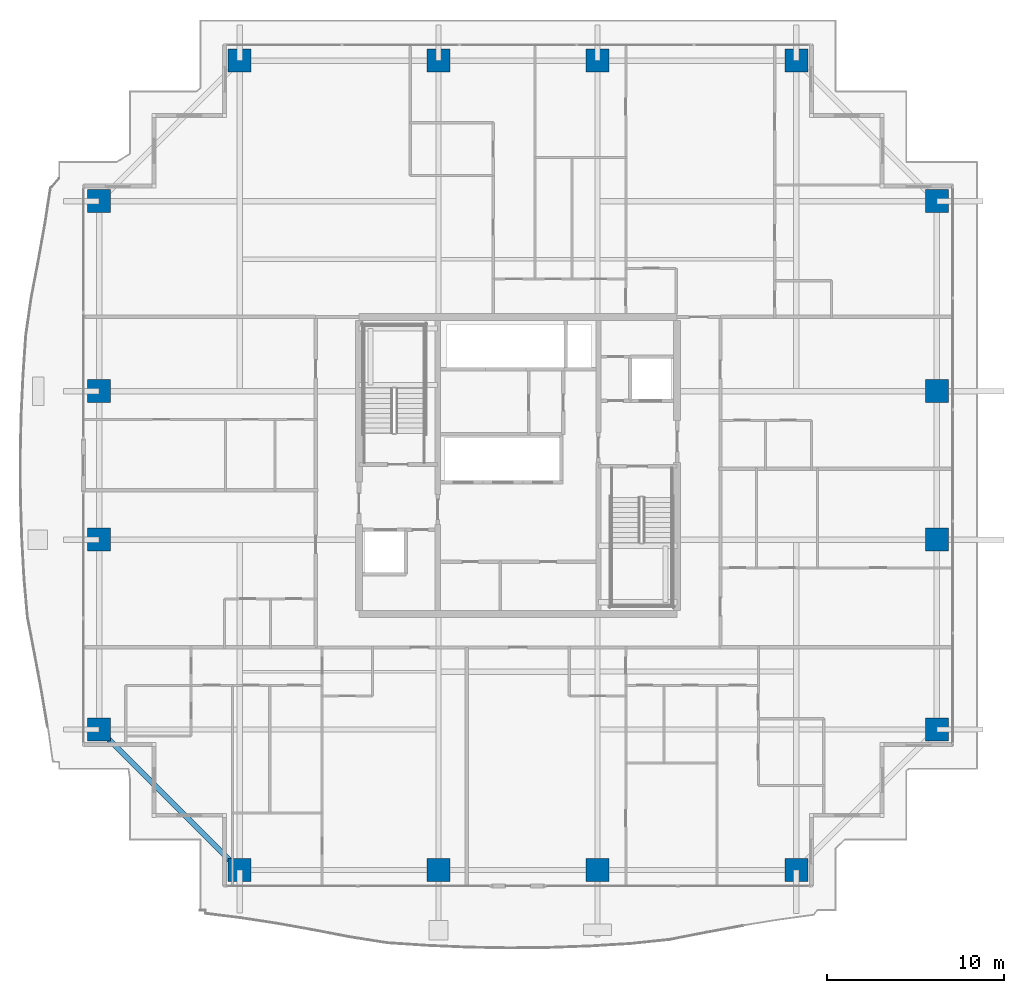
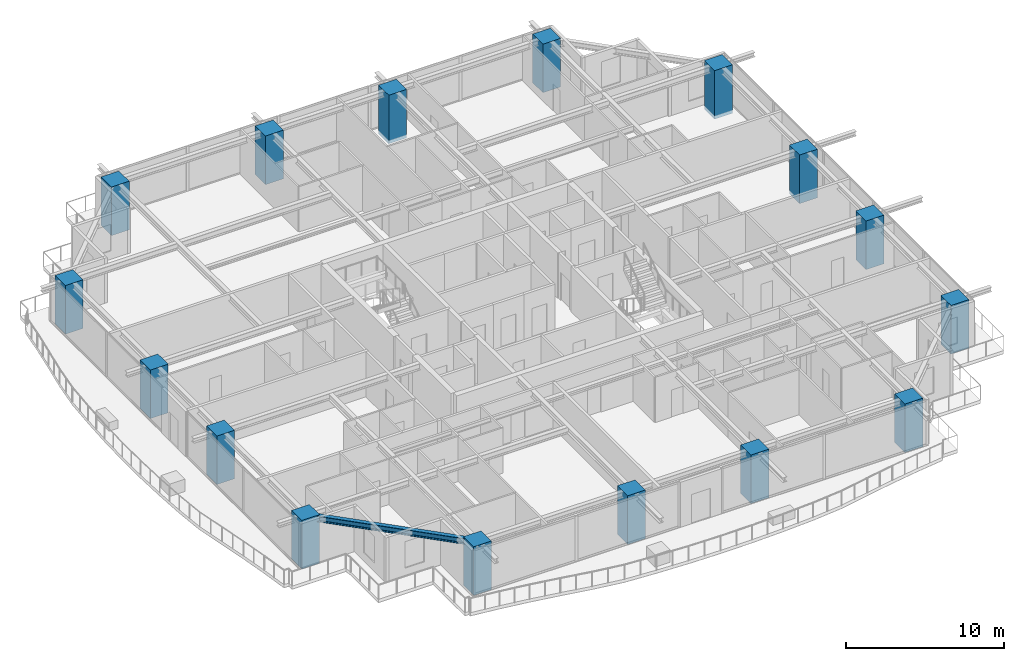
# One storey, part 1 of 34: 16 columns, 1 beam.
"""IFC4 building model written with IfcOpenShell, lengths in metres."""

import ifcopenshell
import ifcopenshell.guid

model = None  # the IFC model being written
_history = None  # IfcOwnerHistory: only IFC2X3 demands one
_inside = {}  # id of a spatial element -> (the spatial element, [elements in it])
_under = {}  # id of a project, library or spatial element -> (it, [spatial elements below it])
_declared = {}  # id of a project -> (the project, [libraries it declares])
_typed = {}  # id of a type object -> (the type object, [elements of that type])
_made_of = {}  # id of a material, layer set ... -> (it, [elements and type objects made of it])


def new_model(schema):
    """Start an empty IFC model of exactly this schema.

    Asked for "IFC4X3", IfcOpenShell would pick the latest addendum, in which some entities
    have other attributes; the version numbers below select the first issue.
    IFC2X3 requires an IfcOwnerHistory on every rooted entity: one is made here for all.
    """
    global model, _history
    if schema == "IFC4X3":
        model = ifcopenshell.file(schema_version=(4, 3, 0, 0))
    else:
        model = ifcopenshell.file(schema=schema)
    _inside.clear()
    _under.clear()
    _declared.clear()
    _typed.clear()
    _made_of.clear()
    _history = None
    if model.schema == "IFC2X3":
        org = make("IfcOrganization", Name="unknown")
        user = make(
            "IfcPersonAndOrganization",
            ThePerson=make("IfcPerson", FamilyName="unknown"),
            TheOrganization=org,
        )
        app = make(
            "IfcApplication",
            ApplicationDeveloper=org,
            Version="unknown",
            ApplicationFullName="unknown",
            ApplicationIdentifier="unknown",
        )
        _history = make(
            "IfcOwnerHistory",
            OwningUser=user,
            OwningApplication=app,
            ChangeAction="ADDED",
            CreationDate=0,
        )
    return model


def make(cls, **values):
    """One entity of the class cls with the attributes given. An attribute that is None is left unset."""
    return model.create_entity(
        cls, **{name: value for name, value in values.items() if value is not None}
    )


def rooted(cls, **values):
    """An entity with a GlobalId (a new one), such as an element, a storey or a relation."""
    return make(cls, GlobalId=ifcopenshell.guid.new(), OwnerHistory=_history, **values)


def si_unit(unit_type, name, prefix=None):
    """IfcSIUnit, for example si_unit("LENGTHUNIT", "METRE", prefix="MILLI")."""
    return make("IfcSIUnit", UnitType=unit_type, Prefix=prefix, Name=name)


def assignment(units):
    """IfcUnitAssignment: the units of a project."""
    return None if units is None else make("IfcUnitAssignment", Units=units)


def point(xyz):
    """IfcCartesianPoint."""
    return None if xyz is None else make("IfcCartesianPoint", Coordinates=xyz)


def direction(xyz):
    """IfcDirection."""
    return None if xyz is None else make("IfcDirection", DirectionRatios=xyz)


def frame(location, z_axis=None, x_axis=None):
    """IfcAxis2Placement3D, a coordinate frame: its origin and axes. An axis left out is left unset."""
    return make(
        "IfcAxis2Placement3D",
        Location=point(location),
        Axis=direction(z_axis),
        RefDirection=direction(x_axis),
    )


def frame_2d(location, x_axis=None):
    """IfcAxis2Placement2D, a coordinate frame in the plane: its origin and x axis."""
    return make(
        "IfcAxis2Placement2D", Location=point(location), RefDirection=direction(x_axis)
    )


def origin():
    """The frame at (0, 0, 0) with its axes left unset."""
    return frame((0.0, 0.0, 0.0))


def origin_2d():
    """The frame at (0, 0) in the plane with its x axis left unset."""
    return frame_2d((0.0, 0.0))


def place(relative_to, where):
    """IfcLocalPlacement: puts the frame where relative to a parent placement (None: the world)."""
    return make(
        "IfcLocalPlacement", PlacementRelTo=relative_to, RelativePlacement=where
    )


def context(
    kind, dimensions, precision=None, world=None, true_north=None, identifier=None
):
    """IfcGeometricRepresentationContext, for example the 3D "Model" context."""
    return make(
        "IfcGeometricRepresentationContext",
        ContextIdentifier=identifier,
        ContextType=kind,
        CoordinateSpaceDimension=dimensions,
        Precision=precision,
        WorldCoordinateSystem=world,
        TrueNorth=true_north,
    )


def subcontext(parent, identifier, kind, view, scale=None):
    """IfcGeometricRepresentationSubContext, for example "Body" below "Model"."""
    return make(
        "IfcGeometricRepresentationSubContext",
        ContextIdentifier=identifier,
        ContextType=kind,
        ParentContext=parent,
        TargetScale=scale,
        TargetView=view,
    )


def project(units=None, contexts=None):
    """IfcProject with its units and contexts."""
    return rooted(
        "IfcProject",
        Name="project",
        RepresentationContexts=contexts,
        UnitsInContext=assignment(units),
    )


def spatial(cls, under=None, at=None, **own):
    """A site, building, storey or space (cls), placed at a placement, below another one or the project."""
    s = rooted(cls, ObjectPlacement=at, **own)
    if under is not None:
        _under.setdefault(under.id(), (under, []))[1].append(s)
    return s


def profile(cls, at=None, kind="AREA", **sizes):
    """A parametric profile (cls). Its sizes go by their IFC names, for example OverallWidth=200.0."""
    return make(cls, ProfileType=kind, Position=at, **sizes)


def rectangle(**sizes):
    """IfcRectangleProfileDef."""
    return profile("IfcRectangleProfileDef", **sizes)


def i_section(**sizes):
    """IfcIShapeProfileDef."""
    return profile("IfcIShapeProfileDef", **sizes)


def extrude(swept, where, along, depth):
    """IfcExtrudedAreaSolid: the profile swept, set in the frame where, extruded along a direction by depth."""
    return make(
        "IfcExtrudedAreaSolid",
        SweptArea=swept,
        Position=where,
        ExtrudedDirection=direction(along),
        Depth=depth,
    )


def shape(context_of_items, identifier, shape_type, items):
    """IfcShapeRepresentation: the items that make up one representation, for example the "Body"."""
    return make(
        "IfcShapeRepresentation",
        ContextOfItems=context_of_items,
        RepresentationIdentifier=identifier,
        RepresentationType=shape_type,
        Items=items,
    )


def source(mapping_origin, context_of_items, identifier, shape_type, items):
    """IfcRepresentationMap: a shape defined once, which mapped items show again and again."""
    return make(
        "IfcRepresentationMap",
        MappingOrigin=mapping_origin,
        MappedRepresentation=shape(context_of_items, identifier, shape_type, items),
    )


def transform(
    local_origin,
    x_axis=None,
    y_axis=None,
    z_axis=None,
    scale=None,
    scale2=None,
    scale3=None,
    uniform=True,
):
    """IfcCartesianTransformationOperator3D, or its non-uniform kind. x_axis, y_axis, z_axis: its Axis1, 2, 3."""
    if uniform:
        return make(
            "IfcCartesianTransformationOperator3D",
            Axis1=direction(x_axis),
            Axis2=direction(y_axis),
            LocalOrigin=point(local_origin),
            Scale=scale,
            Axis3=direction(z_axis),
        )
    return make(
        "IfcCartesianTransformationOperator3DnonUniform",
        Axis1=direction(x_axis),
        Axis2=direction(y_axis),
        LocalOrigin=point(local_origin),
        Scale=scale,
        Axis3=direction(z_axis),
        Scale2=scale2,
        Scale3=scale3,
    )


def mapped(mapping_source, mapping_target):
    """IfcMappedItem: shows the shape of a source again, moved by a transform."""
    return make(
        "IfcMappedItem", MappingSource=mapping_source, MappingTarget=mapping_target
    )


def material(Name=None, Category=None):
    """IfcMaterial."""
    return make("IfcMaterial", Name=Name, Category=Category)


def material_profile(
    of_material, cross_section, Name=None, Category=None, Priority=None
):
    """IfcMaterialProfile: a cross section and its material."""
    return make(
        "IfcMaterialProfile",
        Name=Name,
        Material=of_material,
        Profile=cross_section,
        Priority=Priority,
        Category=Category,
    )


def profile_set(profiles, Name=None, composite=None):
    """IfcMaterialProfileSet."""
    return make(
        "IfcMaterialProfileSet",
        Name=Name,
        MaterialProfiles=profiles,
        CompositeProfile=composite,
    )


def made_of(thing, what):
    """Note that an element or type object is made of a material, layer set ...; save() writes the relation."""
    if what is not None:
        _made_of.setdefault(what.id(), (what, []))[1].append(thing)
    return thing


def type_object(cls, material=None, **own):
    """A type object (cls), such as IfcWallType, which elements share."""
    return made_of(rooted(cls, **own), material)


def element(
    cls,
    number,
    at=None,
    inside=None,
    cuts=None,
    type_object=None,
    material=None,
    context=None,
    identifier="Body",
    shape_type=None,
    held_by="IfcProductDefinitionShape",
    body=None,
    shapes=None,
    **own,
):
    """One element of the class cls, such as IfcWall. Its Tag is "e" and its number.

    at: its placement. inside: the storey or other place that contains it. cuts: it is an
    opening in that element (IfcRelVoidsElement). A single representation is given by context,
    identifier, shape_type and body (its items); several are given by shapes. held_by: the class
    of the entity that holds the representations. save() writes the other relations.
    """
    e = rooted(cls, Tag="e%d" % number, ObjectPlacement=at, **own)
    if body is not None:
        shapes = [shape(context, identifier, shape_type, body)]
    if shapes is not None:
        e.Representation = make(held_by, Representations=shapes)
    if inside is not None:
        _inside.setdefault(inside.id(), (inside, []))[1].append(e)
    if cuts is not None:
        rooted(
            "IfcRelVoidsElement", RelatingBuildingElement=cuts, RelatedOpeningElement=e
        )
    if type_object is not None:
        _typed.setdefault(type_object.id(), (type_object, []))[1].append(e)
    return made_of(e, material)


def aggregate(whole, parts):
    """IfcRelAggregates: a whole, such as a stair, and the parts it consists of."""
    return rooted("IfcRelAggregates", RelatingObject=whole, RelatedObjects=parts)


def save(model, path):
    """Write the relations noted so far, then the file.

    IfcRelAggregates (storeys below a building ...), IfcRelContainedInSpatialStructure (elements
    in a storey), IfcRelDefinesByType, IfcRelAssociatesMaterial and IfcRelDeclares: one each for
    every whole, place, type object, material and project.
    """
    for whole, parts in _under.values():
        aggregate(whole, parts)
    for where, things in _inside.values():
        rooted(
            "IfcRelContainedInSpatialStructure",
            RelatedElements=things,
            RelatingStructure=where,
        )
    for kind, things in _typed.values():
        rooted("IfcRelDefinesByType", RelatedObjects=things, RelatingType=kind)
    for what, things in _made_of.values():
        rooted("IfcRelAssociatesMaterial", RelatedObjects=things, RelatingMaterial=what)
    for by, libraries in _declared.values():
        rooted("IfcRelDeclares", RelatingContext=by, RelatedDefinitions=libraries)
    model.write(path)


model = new_model("IFC4")

# Units and contexts
model_context = context("Model", 3, precision=1e-05, world=origin(), true_north=direction((0.0, 1.0)))
body_context = subcontext(model_context, "Body", "Model", "MODEL_VIEW")
ifc_project = project(units=[si_unit("LENGTHUNIT", "METRE"), si_unit("AREAUNIT", "SQUARE_METRE"), si_unit("VOLUMEUNIT", "CUBIC_METRE"), si_unit("PLANEANGLEUNIT", "RADIAN"), si_unit("MASSUNIT", "GRAM", prefix="KILO")], contexts=[model_context])

# Site, building, storey
site_placement = place(None, origin())
site = spatial("IfcSite", under=ifc_project, at=site_placement, CompositionType="ELEMENT")
building_placement = place(site_placement, origin())
building = spatial("IfcBuilding", under=site, at=building_placement, Name="Serunith Strait Residences", CompositionType="ELEMENT")
storey_placement = place(building_placement, frame((0.0, 0.0, 142.64990234375)))
storey = spatial("IfcBuildingStorey", under=building, at=storey_placement, Name="L35", CompositionType="ELEMENT", Elevation=142.64990234375)

# Columns
ifc_material_1 = material(Name="Concrete C80/95", Category="concrete")
ifc_material_profile_1 = material_profile(ifc_material_1, rectangle(XDim=1.300048828125, YDim=1.300048828125, at=origin_2d()), Name="RC 1300x1300")
ifc_profile_set_1 = profile_set([ifc_material_profile_1], Name="Concrete C80/95")
column_type = type_object("IfcColumnType", Name="COL-RC-1300", PredefinedType="COLUMN", material=ifc_profile_set_1)
shared_shape_1 = source(origin(), body_context, "Body", "SweptSolid", [
    extrude(rectangle(XDim=1.300048828125, YDim=1.300048828125, at=origin_2d()), origin(), (0.0, 0.0, 1.0), 3.75),
])
for number, where, z_axis, x_axis, name in (
    (1, (16.64990234375, 2.300048828125, -0.260009765625), (0.0, 0.0, 1.0), (1.0, 0.0, 0.0), "L35 Tower Mega-Column TC-S1"),
    (2, (27.89990234375, 2.300048828125, -0.260009765625), (0.0, 0.0, 1.0), (1.0, 0.0, 0.0), "L35 Tower Mega-Column TC-S2"),
    (3, (36.89990234375, 2.300048828125, -0.260009765625), (0.0, 0.0, 1.0), (1.0, 0.0, 0.0), "L35 Tower Mega-Column TC-S3"),
    (4, (48.14990234375, 2.300048828125, -0.260009765625), (0.0, 0.0, 1.0), (1.0, 0.0, 0.0), "L35 Tower Mega-Column TC-S4"),
    (5, (16.64990234375, 48.10009765625, -0.260009765625), (0.0, 0.0, 1.0), (1.0, 0.0, 0.0), "L35 Tower Mega-Column TC-N1"),
    (6, (27.89990234375, 48.10009765625, -0.260009765625), (0.0, 0.0, 1.0), (1.0, 0.0, 0.0), "L35 Tower Mega-Column TC-N2"),
    (7, (36.89990234375, 48.10009765625, -0.260009765625), (0.0, 0.0, 1.0), (1.0, 0.0, 0.0), "L35 Tower Mega-Column TC-N3"),
    (8, (48.14990234375, 48.10009765625, -0.260009765625), (0.0, 0.0, 1.0), (1.0, 0.0, 0.0), "L35 Tower Mega-Column TC-N4"),
    (9, (56.10009765625, 10.25, -0.260009765625), (0.0, 0.0, 1.0), (1.0, 0.0, 0.0), "L35 Tower Mega-Column TC-E1"),
    (10, (56.10009765625, 21.0, -0.260009765625), (0.0, 0.0, 1.0), (1.0, 0.0, 0.0), "L35 Tower Mega-Column TC-E2"),
    (11, (56.10009765625, 29.39990234375, -0.260009765625), (0.0, 0.0, 1.0), (1.0, 0.0, 0.0), "L35 Tower Mega-Column TC-E3"),
    (12, (56.10009765625, 40.14990234375, -0.260009765625), (0.0, 0.0, 1.0), (1.0, 0.0, 0.0), "L35 Tower Mega-Column TC-E4"),
    (13, (8.699951171875, 10.25, -0.260009765625), (0.0, 0.0, 1.0), (1.0, 0.0, 0.0), "L35 Tower Mega-Column TC-W1"),
    (14, (8.699951171875, 21.0, -0.260009765625), (0.0, 0.0, 1.0), (1.0, 0.0, 0.0), "L35 Tower Mega-Column TC-W2"),
    (15, (8.699951171875, 29.39990234375, -0.260009765625), (0.0, 0.0, 1.0), (1.0, 0.0, 0.0), "L35 Tower Mega-Column TC-W3"),
    (16, (8.699951171875, 40.14990234375, -0.260009765625), (0.0, 0.0, 1.0), (1.0, 0.0, 0.0), "L35 Tower Mega-Column TC-W4"),
):
    element("IfcColumn", number, at=place(storey_placement, frame(where, z_axis=z_axis, x_axis=x_axis)), inside=storey, type_object=column_type, Name=name, PredefinedType="COLUMN", context=body_context, shape_type="MappedRepresentation", body=[
        mapped(shared_shape_1, transform((0.0, 0.0, 0.0), scale=1.0)),
    ])

# Beam
ifc_material_2 = material(Name="Steel S355J2", Category="steel")
ifc_material_profile_2 = material_profile(ifc_material_2, i_section(OverallWidth=0.300048828125, OverallDepth=0.449951171875, WebThickness=0.013916015625, FlangeThickness=0.02587890625, FilletRadius=0.027099609375, at=origin_2d()), Name="HEB 450")
ifc_profile_set_2 = profile_set([ifc_material_profile_2], Name="Steel S355J2")
beam_type = type_object("IfcBeamType", Name="BM-HEB450", PredefinedType="BEAM", material=ifc_profile_set_2)
shared_shape_2 = source(origin(), body_context, "Body", "SweptSolid", [
    extrude(i_section(OverallWidth=0.300048828125, OverallDepth=0.449951171875, WebThickness=0.013916015625, FlangeThickness=0.02587890625, FilletRadius=0.027099609375, at=origin_2d()), origin(), (0.0, 0.0, 1.0), 11.242919921875),
])
beam_placement = place(storey_placement, frame((8.699951171875, 10.25, 3.232177734375), z_axis=(0.707106781187, -0.707106781187, 0.0), x_axis=(0.707106781187, 0.707106781187, 0.0)))
element("IfcBeam", 17, at=beam_placement, inside=storey, type_object=beam_type, Name="L35 Perimeter Ring Beam 16", PredefinedType="BEAM", context=body_context, shape_type="MappedRepresentation", body=[
    mapped(shared_shape_2, transform((0.0, 0.0, 0.0), scale=1.0)),
])

save(model, "model.ifc")
